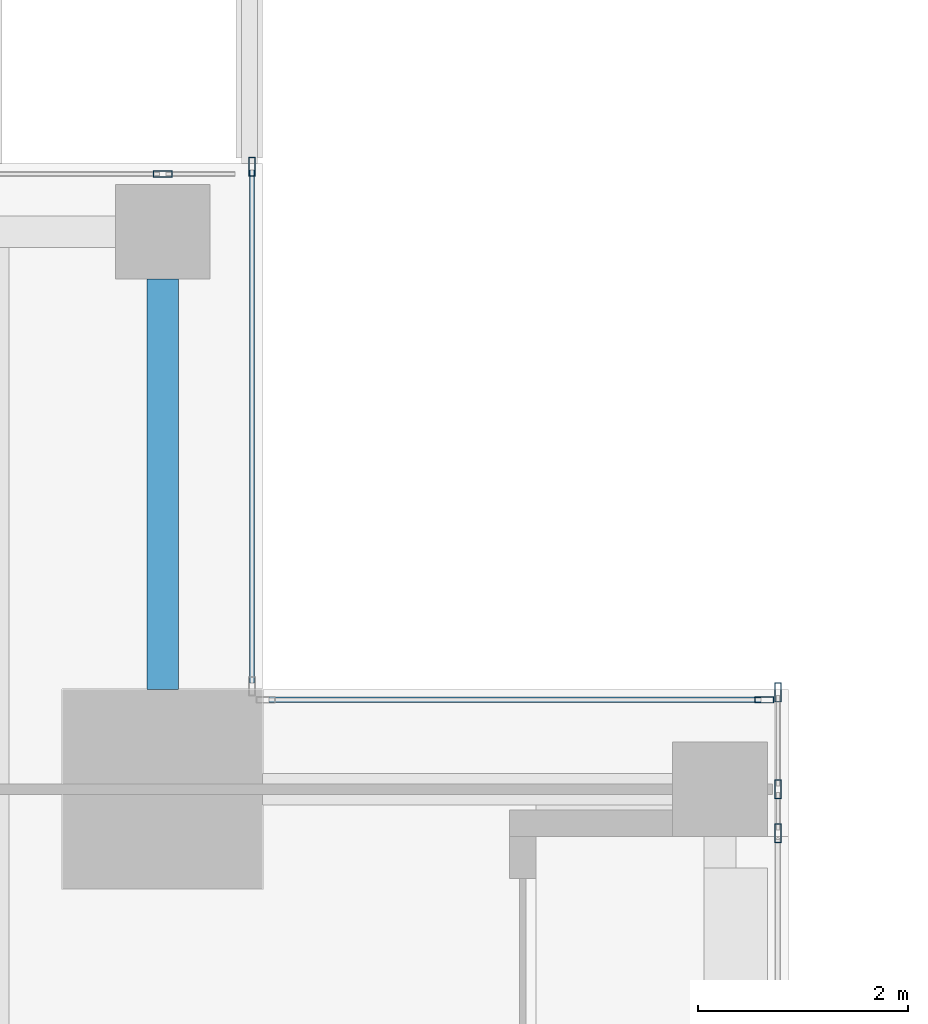
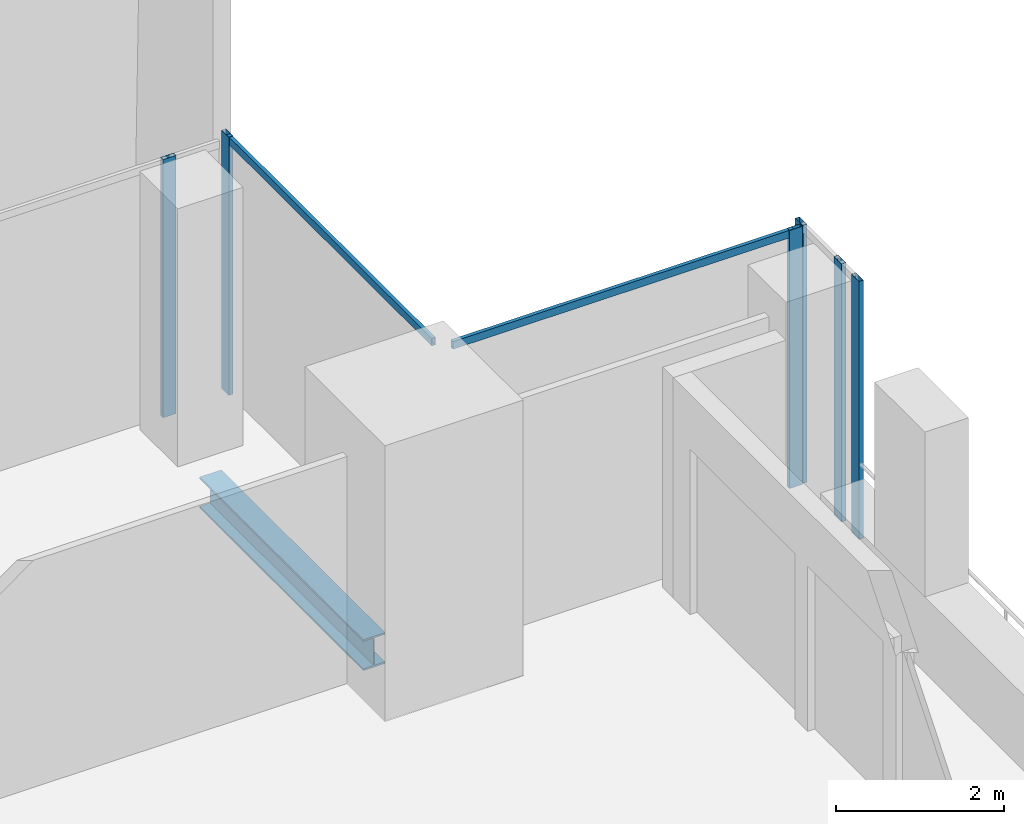
# One storey, part 21 of 35: 8 members, 1 beam, 4 elements without a shape of their own.
"""IFC4 building model written with IfcOpenShell, lengths in metres."""

from ifc_helpers import new_model, si_unit, direction, frame, origin, origin_2d, place, context, subcontext, project, spatial, hollow_rectangle, i_section, extrude, source, transform, mapped, material, material_profile, profile_set, type_object, element, aggregate, save


model = new_model("IFC4")

# Units and contexts
model_context = context("Model", 3, precision=1e-05, world=origin(), true_north=direction((0.0, 1.0)))
body_context = subcontext(model_context, "Body", "Model", "MODEL_VIEW")
ifc_project = project(units=[si_unit("LENGTHUNIT", "METRE"), si_unit("AREAUNIT", "SQUARE_METRE"), si_unit("VOLUMEUNIT", "CUBIC_METRE"), si_unit("PLANEANGLEUNIT", "RADIAN"), si_unit("MASSUNIT", "GRAM", prefix="KILO")], contexts=[model_context])

# Site, building, storey
site_placement = place(None, origin())
site = spatial("IfcSite", under=ifc_project, at=site_placement, CompositionType="ELEMENT")
building_placement = place(site_placement, origin())
building = spatial("IfcBuilding", under=site, at=building_placement, Name="Khomas Fold Tower", CompositionType="ELEMENT")
storey_placement = place(building_placement, frame((0.0, 0.0, 246.199951171875)))
storey = spatial("IfcBuildingStorey", under=building, at=storey_placement, Name="L55", CompositionType="ELEMENT", Elevation=246.199951171875)

# Beam
ifc_material_1 = material(Name="Steel S355", Category="steel")
ifc_material_profile_1 = material_profile(ifc_material_1, i_section(OverallWidth=0.300048828125, OverallDepth=0.449951171875, WebThickness=0.013916015625, FlangeThickness=0.02587890625, at=origin_2d()), Name="HE 450 B")
ifc_profile_set_1 = profile_set([ifc_material_profile_1], Name="Steel S355")
beam_type = type_object("IfcBeamType", Name="HE 450 B spandrel SB4", PredefinedType="SPANDREL", material=ifc_profile_set_1)
shared_shape_1 = source(origin(), body_context, "Body", "SweptSolid", [
    extrude(i_section(OverallWidth=0.300048828125, OverallDepth=0.449951171875, WebThickness=0.013916015625, FlangeThickness=0.02587890625, at=origin_2d()), origin(), (0.0, 0.0, 1.0), 3.89990234375),
])
beam_placement = place(storey_placement, frame((43.550048828125, 44.5, -0.474853515625), z_axis=(0.0, 1.0, 0.0), x_axis=(-1.0, 0.0, 0.0)))
element("IfcBeam", 1, at=beam_placement, inside=storey, type_object=beam_type, Name="SB4", PredefinedType="SPANDREL", context=body_context, shape_type="MappedRepresentation", body=[
    mapped(shared_shape_1, transform((0.0, 0.0, 0.0))),
])

# Curtain wall, members
ifc_material_2 = material(Name="Aluminium framed double glazing", Category="aluminium")
curtain_wall_type = type_object("IfcCurtainWallType", Name="SK-Unitised clear-glass wall, office floors CW2", PredefinedType="NOTDEFINED", material=ifc_material_2)
curtain_wall_1_placement = place(storey_placement, origin())
curtain_wall_1 = element("IfcCurtainWall", 2, at=curtain_wall_1_placement, inside=storey, type_object=curtain_wall_type, Name="CW2 run L55 03-1", PredefinedType="NOTDEFINED")
ifc_material_3 = material(Name="Aluminium", Category="aluminium")
ifc_material_profile_2 = material_profile(ifc_material_3, hollow_rectangle(XDim=0.06005859375, YDim=0.179931640625, WallThickness=0.00390625, at=origin_2d()), Name="SK-Unitised clear-glass wall, office floors mullion CW2-M")
ifc_profile_set_2 = profile_set([ifc_material_profile_2], Name="Aluminium")
member_type_1 = type_object("IfcMemberType", Name="SK-Unitised clear-glass wall, office floors mullion CW2-M", PredefinedType="MULLION", material=ifc_profile_set_2)
shared_shape_2 = source(origin(), body_context, "Body", "SweptSolid", [
    extrude(hollow_rectangle(XDim=0.06005859375, YDim=0.179931640625, WallThickness=0.00390625, at=origin_2d()), origin(), (0.0, 0.0, 1.0), 3.75),
])
member_1_placement = place(storey_placement, frame((49.39990234375, 43.1298828125, 0.0), z_axis=(0.0, 0.0, 1.0), x_axis=(-1.0, 0.0, 0.0)))
member_1 = element("IfcMember", 3, at=member_1_placement, type_object=member_type_1, Name="CW2 mullion 1", PredefinedType="MULLION", context=body_context, shape_type="MappedRepresentation", body=[
    mapped(shared_shape_2, transform((0.0, 0.0, 0.0))),
])
member_2_placement = place(storey_placement, frame((49.39990234375, 43.550048828125, 0.0), z_axis=(0.0, 0.0, 1.0), x_axis=(-1.0, 0.0, 0.0)))
member_2 = element("IfcMember", 4, at=member_2_placement, type_object=member_type_1, Name="CW2 mullion 2", PredefinedType="MULLION", context=body_context, shape_type="MappedRepresentation", body=[
    mapped(shared_shape_2, transform((0.0, 0.0, 0.0))),
])
member_3_placement = place(storey_placement, frame((49.39990234375, 44.469970703125, 0.0), z_axis=(0.0, 0.0, 1.0), x_axis=(-1.0, 0.0, 0.0)))
member_3 = element("IfcMember", 5, at=member_3_placement, type_object=member_type_1, Name="CW2 mullion 3", PredefinedType="MULLION", context=body_context, shape_type="MappedRepresentation", body=[
    mapped(shared_shape_2, transform((0.0, 0.0, 0.0))),
])
aggregate(curtain_wall_1, [member_1, member_2, member_3])

# Curtain wall, member
curtain_wall_2_placement = place(storey_placement, origin())
curtain_wall_2 = element("IfcCurtainWall", 6, at=curtain_wall_2_placement, inside=storey, type_object=curtain_wall_type, Name="CW2 corner return L55 04", PredefinedType="NOTDEFINED")
member_4_placement = place(storey_placement, frame((49.27001953125, 44.39990234375, 0.0), z_axis=(0.0, 0.0, 1.0), x_axis=(0.0, -1.0, 0.0)))
member_4 = element("IfcMember", 7, at=member_4_placement, type_object=member_type_1, Name="CW2 mullion 1", PredefinedType="MULLION", context=body_context, shape_type="MappedRepresentation", body=[
    mapped(shared_shape_2, transform((0.0, 0.0, 0.0))),
])

curtain_wall_3_placement = place(storey_placement, origin())
curtain_wall_3 = element("IfcCurtainWall", 8, at=curtain_wall_3_placement, inside=storey, type_object=curtain_wall_type, Name="CW2 corner return L55 05", PredefinedType="NOTDEFINED")
member_5_placement = place(storey_placement, frame((44.39990234375, 49.469970703125, 0.0), z_axis=(0.0, 0.0, 1.0), x_axis=(-1.0, 0.0, 0.0)))
member_5 = element("IfcMember", 9, at=member_5_placement, type_object=member_type_1, Name="CW2 mullion 2", PredefinedType="MULLION", context=body_context, shape_type="MappedRepresentation", body=[
    mapped(shared_shape_2, transform((0.0, 0.0, 0.0))),
])

curtain_wall_4_placement = place(storey_placement, origin())
curtain_wall_4 = element("IfcCurtainWall", 10, at=curtain_wall_4_placement, inside=storey, type_object=curtain_wall_type, Name="CW2 run L55 06-0", PredefinedType="NOTDEFINED")
member_6_placement = place(storey_placement, frame((43.550048828125, 49.39990234375, 0.0), z_axis=(0.0, 0.0, 1.0), x_axis=(0.0, -1.0, 0.0)))
member_6 = element("IfcMember", 11, at=member_6_placement, type_object=member_type_1, Name="CW2 mullion 2", PredefinedType="MULLION", context=body_context, shape_type="MappedRepresentation", body=[
    mapped(shared_shape_2, transform((0.0, 0.0, 0.0))),
])
aggregate(curtain_wall_4, [member_6])

# Member
ifc_material_4 = material(Name="Aluminium", Category="aluminium")
ifc_material_profile_3 = material_profile(ifc_material_4, hollow_rectangle(XDim=0.050048828125, YDim=0.110107421875, WallThickness=0.00390625, at=origin_2d()), Name="SK-Unitised clear-glass wall, office floors transom CW2-T")
ifc_profile_set_3 = profile_set([ifc_material_profile_3], Name="Aluminium")
member_type_2 = type_object("IfcMemberType", Name="SK-Unitised clear-glass wall, office floors transom CW2-T", PredefinedType="USERDEFINED", material=ifc_profile_set_3)
shared_shape_3 = source(origin(), body_context, "Body", "SweptSolid", [
    extrude(hollow_rectangle(XDim=0.050048828125, YDim=0.110107421875, WallThickness=0.00390625, at=origin_2d()), origin(), (0.0, 0.0, 1.0), 4.679931640625),
])
member_7_placement = place(storey_placement, frame((49.239990234375, 44.39990234375, 3.695068359375), z_axis=(-1.0, 0.0, 0.0), x_axis=(0.0, -1.0, 0.0)))
member_7 = element("IfcMember", 12, at=member_7_placement, type_object=member_type_2, Name="CW2 transom 1", ObjectType="TRANSOM", PredefinedType="USERDEFINED", context=body_context, shape_type="MappedRepresentation", body=[
    mapped(shared_shape_3, transform((0.0, 0.0, 0.0))),
])

aggregate(curtain_wall_2, [member_4, member_7])

shared_shape_4 = source(origin(), body_context, "Body", "SweptSolid", [
    extrude(hollow_rectangle(XDim=0.050048828125, YDim=0.110107421875, WallThickness=0.00390625, at=origin_2d()), origin(), (0.0, 0.0, 1.0), 4.8798828125),
])
member_8_placement = place(storey_placement, frame((44.39990234375, 44.56005859375, 3.695068359375), z_axis=(0.0, 1.0, 0.0), x_axis=(-1.0, 0.0, 0.0)))
member_8 = element("IfcMember", 13, at=member_8_placement, type_object=member_type_2, Name="CW2 transom 1", ObjectType="TRANSOM", PredefinedType="USERDEFINED", context=body_context, shape_type="MappedRepresentation", body=[
    mapped(shared_shape_4, transform((0.0, 0.0, 0.0))),
])

aggregate(curtain_wall_3, [member_5, member_8])

save(model, "model.ifc")
